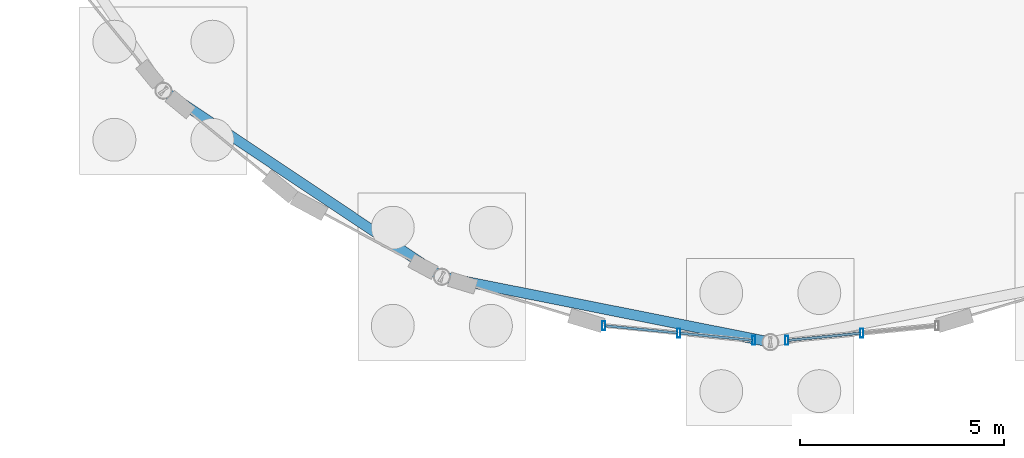
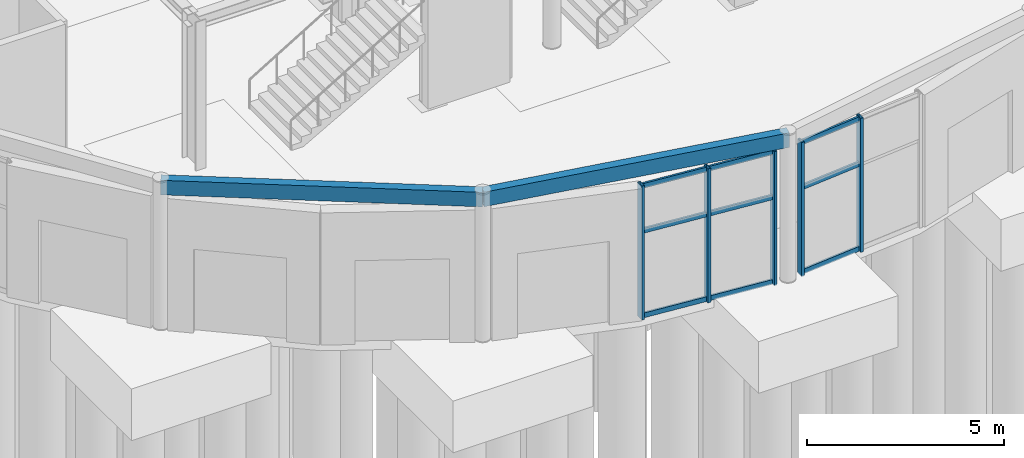
# One storey, part 66 of 160: 14 members, 2 beams, 2 elements without a shape of their own.
"""IFC4 building model written with IfcOpenShell, lengths in metres."""

import ifcopenshell
import ifcopenshell.guid

model = None  # the IFC model being written
_history = None  # IfcOwnerHistory: only IFC2X3 demands one
_inside = {}  # id of a spatial element -> (the spatial element, [elements in it])
_under = {}  # id of a project, library or spatial element -> (it, [spatial elements below it])
_declared = {}  # id of a project -> (the project, [libraries it declares])
_typed = {}  # id of a type object -> (the type object, [elements of that type])
_made_of = {}  # id of a material, layer set ... -> (it, [elements and type objects made of it])


def new_model(schema):
    """Start an empty IFC model of exactly this schema.

    Asked for "IFC4X3", IfcOpenShell would pick the latest addendum, in which some entities
    have other attributes; the version numbers below select the first issue.
    IFC2X3 requires an IfcOwnerHistory on every rooted entity: one is made here for all.
    """
    global model, _history
    if schema == "IFC4X3":
        model = ifcopenshell.file(schema_version=(4, 3, 0, 0))
    else:
        model = ifcopenshell.file(schema=schema)
    _inside.clear()
    _under.clear()
    _declared.clear()
    _typed.clear()
    _made_of.clear()
    _history = None
    if model.schema == "IFC2X3":
        org = make("IfcOrganization", Name="unknown")
        user = make(
            "IfcPersonAndOrganization",
            ThePerson=make("IfcPerson", FamilyName="unknown"),
            TheOrganization=org,
        )
        app = make(
            "IfcApplication",
            ApplicationDeveloper=org,
            Version="unknown",
            ApplicationFullName="unknown",
            ApplicationIdentifier="unknown",
        )
        _history = make(
            "IfcOwnerHistory",
            OwningUser=user,
            OwningApplication=app,
            ChangeAction="ADDED",
            CreationDate=0,
        )
    return model


def make(cls, **values):
    """One entity of the class cls with the attributes given. An attribute that is None is left unset."""
    return model.create_entity(
        cls, **{name: value for name, value in values.items() if value is not None}
    )


def rooted(cls, **values):
    """An entity with a GlobalId (a new one), such as an element, a storey or a relation."""
    return make(cls, GlobalId=ifcopenshell.guid.new(), OwnerHistory=_history, **values)


def si_unit(unit_type, name, prefix=None):
    """IfcSIUnit, for example si_unit("LENGTHUNIT", "METRE", prefix="MILLI")."""
    return make("IfcSIUnit", UnitType=unit_type, Prefix=prefix, Name=name)


def assignment(units):
    """IfcUnitAssignment: the units of a project."""
    return None if units is None else make("IfcUnitAssignment", Units=units)


def point(xyz):
    """IfcCartesianPoint."""
    return None if xyz is None else make("IfcCartesianPoint", Coordinates=xyz)


def direction(xyz):
    """IfcDirection."""
    return None if xyz is None else make("IfcDirection", DirectionRatios=xyz)


def frame(location, z_axis=None, x_axis=None):
    """IfcAxis2Placement3D, a coordinate frame: its origin and axes. An axis left out is left unset."""
    return make(
        "IfcAxis2Placement3D",
        Location=point(location),
        Axis=direction(z_axis),
        RefDirection=direction(x_axis),
    )


def frame_2d(location, x_axis=None):
    """IfcAxis2Placement2D, a coordinate frame in the plane: its origin and x axis."""
    return make(
        "IfcAxis2Placement2D", Location=point(location), RefDirection=direction(x_axis)
    )


def origin():
    """The frame at (0, 0, 0) with its axes left unset."""
    return frame((0.0, 0.0, 0.0))


def origin_2d():
    """The frame at (0, 0) in the plane with its x axis left unset."""
    return frame_2d((0.0, 0.0))


def place(relative_to, where):
    """IfcLocalPlacement: puts the frame where relative to a parent placement (None: the world)."""
    return make(
        "IfcLocalPlacement", PlacementRelTo=relative_to, RelativePlacement=where
    )


def context(
    kind, dimensions, precision=None, world=None, true_north=None, identifier=None
):
    """IfcGeometricRepresentationContext, for example the 3D "Model" context."""
    return make(
        "IfcGeometricRepresentationContext",
        ContextIdentifier=identifier,
        ContextType=kind,
        CoordinateSpaceDimension=dimensions,
        Precision=precision,
        WorldCoordinateSystem=world,
        TrueNorth=true_north,
    )


def subcontext(parent, identifier, kind, view, scale=None):
    """IfcGeometricRepresentationSubContext, for example "Body" below "Model"."""
    return make(
        "IfcGeometricRepresentationSubContext",
        ContextIdentifier=identifier,
        ContextType=kind,
        ParentContext=parent,
        TargetScale=scale,
        TargetView=view,
    )


def project(units=None, contexts=None):
    """IfcProject with its units and contexts."""
    return rooted(
        "IfcProject",
        Name="project",
        RepresentationContexts=contexts,
        UnitsInContext=assignment(units),
    )


def spatial(cls, under=None, at=None, **own):
    """A site, building, storey or space (cls), placed at a placement, below another one or the project."""
    s = rooted(cls, ObjectPlacement=at, **own)
    if under is not None:
        _under.setdefault(under.id(), (under, []))[1].append(s)
    return s


def profile(cls, at=None, kind="AREA", **sizes):
    """A parametric profile (cls). Its sizes go by their IFC names, for example OverallWidth=200.0."""
    return make(cls, ProfileType=kind, Position=at, **sizes)


def hollow_rectangle(**sizes):
    """IfcRectangleHollowProfileDef."""
    return profile("IfcRectangleHollowProfileDef", **sizes)


def extrude(swept, where, along, depth):
    """IfcExtrudedAreaSolid: the profile swept, set in the frame where, extruded along a direction by depth."""
    return make(
        "IfcExtrudedAreaSolid",
        SweptArea=swept,
        Position=where,
        ExtrudedDirection=direction(along),
        Depth=depth,
    )


def shape(context_of_items, identifier, shape_type, items):
    """IfcShapeRepresentation: the items that make up one representation, for example the "Body"."""
    return make(
        "IfcShapeRepresentation",
        ContextOfItems=context_of_items,
        RepresentationIdentifier=identifier,
        RepresentationType=shape_type,
        Items=items,
    )


def material(Name=None, Category=None):
    """IfcMaterial."""
    return make("IfcMaterial", Name=Name, Category=Category)


def layer(
    of_material, thickness, ventilated=None, Name=None, Category=None, Priority=None
):
    """IfcMaterialLayer: one layer of a wall or slab, of a material (None: an air gap)."""
    return make(
        "IfcMaterialLayer",
        Material=of_material,
        LayerThickness=thickness,
        IsVentilated=ventilated,
        Name=Name,
        Category=Category,
        Priority=Priority,
    )


def layer_set(layers, Name=None):
    """IfcMaterialLayerSet."""
    return make("IfcMaterialLayerSet", MaterialLayers=layers, LayerSetName=Name)


def material_profile(
    of_material, cross_section, Name=None, Category=None, Priority=None
):
    """IfcMaterialProfile: a cross section and its material."""
    return make(
        "IfcMaterialProfile",
        Name=Name,
        Material=of_material,
        Profile=cross_section,
        Priority=Priority,
        Category=Category,
    )


def profile_set(profiles, Name=None, composite=None):
    """IfcMaterialProfileSet."""
    return make(
        "IfcMaterialProfileSet",
        Name=Name,
        MaterialProfiles=profiles,
        CompositeProfile=composite,
    )


def made_of(thing, what):
    """Note that an element or type object is made of a material, layer set ...; save() writes the relation."""
    if what is not None:
        _made_of.setdefault(what.id(), (what, []))[1].append(thing)
    return thing


def type_object(cls, material=None, **own):
    """A type object (cls), such as IfcWallType, which elements share."""
    return made_of(rooted(cls, **own), material)


def element(
    cls,
    number,
    at=None,
    inside=None,
    cuts=None,
    type_object=None,
    material=None,
    context=None,
    identifier="Body",
    shape_type=None,
    held_by="IfcProductDefinitionShape",
    body=None,
    shapes=None,
    **own,
):
    """One element of the class cls, such as IfcWall. Its Tag is "e" and its number.

    at: its placement. inside: the storey or other place that contains it. cuts: it is an
    opening in that element (IfcRelVoidsElement). A single representation is given by context,
    identifier, shape_type and body (its items); several are given by shapes. held_by: the class
    of the entity that holds the representations. save() writes the other relations.
    """
    e = rooted(cls, Tag="e%d" % number, ObjectPlacement=at, **own)
    if body is not None:
        shapes = [shape(context, identifier, shape_type, body)]
    if shapes is not None:
        e.Representation = make(held_by, Representations=shapes)
    if inside is not None:
        _inside.setdefault(inside.id(), (inside, []))[1].append(e)
    if cuts is not None:
        rooted(
            "IfcRelVoidsElement", RelatingBuildingElement=cuts, RelatedOpeningElement=e
        )
    if type_object is not None:
        _typed.setdefault(type_object.id(), (type_object, []))[1].append(e)
    return made_of(e, material)


def aggregate(whole, parts):
    """IfcRelAggregates: a whole, such as a stair, and the parts it consists of."""
    return rooted("IfcRelAggregates", RelatingObject=whole, RelatedObjects=parts)


def save(model, path):
    """Write the relations noted so far, then the file.

    IfcRelAggregates (storeys below a building ...), IfcRelContainedInSpatialStructure (elements
    in a storey), IfcRelDefinesByType, IfcRelAssociatesMaterial and IfcRelDeclares: one each for
    every whole, place, type object, material and project.
    """
    for whole, parts in _under.values():
        aggregate(whole, parts)
    for where, things in _inside.values():
        rooted(
            "IfcRelContainedInSpatialStructure",
            RelatedElements=things,
            RelatingStructure=where,
        )
    for kind, things in _typed.values():
        rooted("IfcRelDefinesByType", RelatedObjects=things, RelatingType=kind)
    for what, things in _made_of.values():
        rooted("IfcRelAssociatesMaterial", RelatedObjects=things, RelatingMaterial=what)
    for by, libraries in _declared.values():
        rooted("IfcRelDeclares", RelatingContext=by, RelatedDefinitions=libraries)
    model.write(path)


model = new_model("IFC4")

# Units and contexts
model_context = context("Model", 3, precision=1e-05, world=origin(), true_north=direction((0.0, 1.0)))
body_context = subcontext(model_context, "Body", "Model", "MODEL_VIEW")
ifc_project = project(units=[si_unit("LENGTHUNIT", "METRE"), si_unit("AREAUNIT", "SQUARE_METRE"), si_unit("VOLUMEUNIT", "CUBIC_METRE"), si_unit("PLANEANGLEUNIT", "RADIAN"), si_unit("MASSUNIT", "GRAM", prefix="KILO")], contexts=[model_context])

# Site, building, storey
site_placement = place(None, origin())
site = spatial("IfcSite", under=ifc_project, at=site_placement, CompositionType="ELEMENT")
building_placement = place(site_placement, origin())
building = spatial("IfcBuilding", under=site, at=building_placement, Name="Marlcrest Central Station", CompositionType="ELEMENT")
storey_placement = place(building_placement, origin())
storey = spatial("IfcBuildingStorey", under=building, at=storey_placement, Name="L00", CompositionType="ELEMENT", Elevation=0.0)

# Curtain wall, members
ifc_material_1 = material(Name="Anodised aluminium and hurricane laminated glass", Category="aluminium")
ifc_layer = layer(ifc_material_1, 0.219970703125, Name="CW-U1")
ifc_layer_set = layer_set([ifc_layer], Name="Anodised aluminium and hurricane laminated glass")
curtain_wall_type = type_object("IfcCurtainWallType", Name="CW-U1", PredefinedType="USERDEFINED", material=ifc_layer_set)
curtain_wall_1_placement = place(storey_placement, origin())
curtain_wall_1 = element("IfcCurtainWall", 1, at=curtain_wall_1_placement, inside=storey, type_object=curtain_wall_type, Name="cw-L00-0004", ObjectType="UNITISED_CURTAIN_WALL", PredefinedType="USERDEFINED")
ifc_material_2 = material(Name="Anodised aluminium 6063-T6", Category="aluminium")
ifc_material_profile_1 = material_profile(ifc_material_2, hollow_rectangle(XDim=0.080078125, YDim=0.219970703125, WallThickness=0.006103515625, at=origin_2d()), Name="AA-RHS 220x80x6")
ifc_profile_set_1 = profile_set([ifc_material_profile_1], Name="Anodised aluminium 6063-T6")
member_type_1 = type_object("IfcMemberType", Name="ML-01", PredefinedType="MULLION", material=ifc_profile_set_1)
member_1_placement = place(storey_placement, frame((107.597900390625, 1.53955078125, -0.030029296875), z_axis=(0.0, 0.0, 1.0), x_axis=(1.0, 0.0, 0.0)))
member_1 = element("IfcMember", 2, at=member_1_placement, type_object=member_type_1, Name="cw-L00-0004-ml-0", PredefinedType="MULLION", context=body_context, shape_type="SweptSolid", body=[
    extrude(hollow_rectangle(XDim=0.080078125, YDim=0.219970703125, WallThickness=0.006103515625, at=origin_2d()), origin(), (0.0, 0.0, 1.0), 4.159912109375),
])
member_2_placement = place(storey_placement, frame((105.7607421875, 1.720703125, -0.030029296875), z_axis=(0.0, 0.0, 1.0), x_axis=(1.0, 0.0, 0.0)))
member_2 = element("IfcMember", 3, at=member_2_placement, type_object=member_type_1, Name="cw-L00-0004-ml-1", PredefinedType="MULLION", context=body_context, shape_type="SweptSolid", body=[
    extrude(hollow_rectangle(XDim=0.080078125, YDim=0.219970703125, WallThickness=0.006103515625, at=origin_2d()), origin(), (0.0, 0.0, 1.0), 4.159912109375),
])
member_3_placement = place(storey_placement, frame((103.923583984375, 1.902099609375, -0.030029296875), z_axis=(0.0, 0.0, 1.0), x_axis=(1.0, 0.0, 0.0)))
member_3 = element("IfcMember", 4, at=member_3_placement, type_object=member_type_1, Name="cw-L00-0004-ml-2", PredefinedType="MULLION", context=body_context, shape_type="SweptSolid", body=[
    extrude(hollow_rectangle(XDim=0.080078125, YDim=0.219970703125, WallThickness=0.006103515625, at=origin_2d()), origin(), (0.0, 0.0, 1.0), 4.159912109375),
])

curtain_wall_2_placement = place(storey_placement, origin())
curtain_wall_2 = element("IfcCurtainWall", 5, at=curtain_wall_2_placement, inside=storey, type_object=curtain_wall_type, Name="cw-L00-0005", ObjectType="UNITISED_CURTAIN_WALL", PredefinedType="USERDEFINED")
member_4_placement = place(storey_placement, frame((110.2392578125, 1.720703125, -0.030029296875), z_axis=(0.0, 0.0, 1.0), x_axis=(1.0, 0.0, 0.0)))
member_4 = element("IfcMember", 6, at=member_4_placement, type_object=member_type_1, Name="cw-L00-0005-ml-1", PredefinedType="MULLION", context=body_context, shape_type="SweptSolid", body=[
    extrude(hollow_rectangle(XDim=0.080078125, YDim=0.219970703125, WallThickness=0.006103515625, at=origin_2d()), origin(), (0.0, 0.0, 1.0), 4.159912109375),
])
member_5_placement = place(storey_placement, frame((108.402099609375, 1.53955078125, -0.030029296875), z_axis=(0.0, 0.0, 1.0), x_axis=(1.0, 0.0, 0.0)))
member_5 = element("IfcMember", 7, at=member_5_placement, type_object=member_type_1, Name="cw-L00-0005-ml-2", PredefinedType="MULLION", context=body_context, shape_type="SweptSolid", body=[
    extrude(hollow_rectangle(XDim=0.080078125, YDim=0.219970703125, WallThickness=0.006103515625, at=origin_2d()), origin(), (0.0, 0.0, 1.0), 4.159912109375),
])

# Beams
ifc_material_3 = material(Name="Steel S355", Category="steel")
ifc_material_profile_2 = material_profile(ifc_material_3, hollow_rectangle(XDim=0.25, YDim=0.449951171875, WallThickness=0.01611328125, at=origin_2d()), Name="RHS 450x250x16")
ifc_profile_set_2 = profile_set([ifc_material_profile_2], Name="Steel S355")
beam_type = type_object("IfcBeamType", Name="SP-02", PredefinedType="SPANDREL", material=ifc_profile_set_2)
beam_1_placement = place(storey_placement, frame((93.15087890625, 7.65087890625, 4.3798828125), z_axis=(0.831508991937, -0.55551129271, 0.0), x_axis=(0.55551129271, 0.831508991937, 0.0)))
element("IfcBeam", 8, at=beam_1_placement, inside=storey, type_object=beam_type, Name="bm-SP-02-L00-01325", PredefinedType="SPANDREL", context=body_context, shape_type="SweptSolid", body=[
    extrude(hollow_rectangle(XDim=0.25, YDim=0.449951171875, WallThickness=0.01611328125, at=origin_2d()), origin(), (0.0, 0.0, 1.0), 8.19384765625),
])
beam_2_placement = place(storey_placement, frame((99.964111328125, 3.09912109375, 4.3798828125), z_axis=(0.980769316421, -0.19517056122, 0.0), x_axis=(0.19517056122, 0.980769316421, 0.0)))
element("IfcBeam", 9, at=beam_2_placement, inside=storey, type_object=beam_type, Name="bm-SP-02-L00-01326", PredefinedType="SPANDREL", context=body_context, shape_type="SweptSolid", body=[
    extrude(hollow_rectangle(XDim=0.25, YDim=0.449951171875, WallThickness=0.01611328125, at=origin_2d()), origin(), (0.0, 0.0, 1.0), 8.193359375),
])

# Member
ifc_material_profile_3 = material_profile(ifc_material_2, hollow_rectangle(XDim=0.06005859375, YDim=0.14990234375, WallThickness=0.00390625, at=origin_2d()), Name="AA-RHS 150x60x4")
ifc_profile_set_3 = profile_set([ifc_material_profile_3], Name="Anodised aluminium 6063-T6")
member_type_2 = type_object("IfcMemberType", Name="TR-01", PredefinedType="USERDEFINED", material=ifc_profile_set_3)
member_6_placement = place(storey_placement, frame((107.56005859375, 1.54345703125, 0.0400390625), z_axis=(-0.995179551658, 0.098069668916, 0.0), x_axis=(-0.098069668916, -0.995179551658, 0.0)))
member_6 = element("IfcMember", 10, at=member_6_placement, type_object=member_type_2, Name="cw-L00-0004-tr-0-sill", ObjectType="TRANSOM", PredefinedType="USERDEFINED", context=body_context, shape_type="SweptSolid", body=[
    extrude(hollow_rectangle(XDim=0.06005859375, YDim=0.14990234375, WallThickness=0.00390625, at=origin_2d()), origin(), (0.0, 0.0, 1.0), 1.77001953125),
])

member_7_placement = place(storey_placement, frame((107.56005859375, 1.54345703125, 2.6650390625), z_axis=(-0.995179551658, 0.098069668916, 0.0), x_axis=(-0.098069668916, -0.995179551658, 0.0)))
member_7 = element("IfcMember", 11, at=member_7_placement, type_object=member_type_2, Name="cw-L00-0004-tr-0-mid", ObjectType="TRANSOM", PredefinedType="USERDEFINED", context=body_context, shape_type="SweptSolid", body=[
    extrude(hollow_rectangle(XDim=0.06005859375, YDim=0.14990234375, WallThickness=0.00390625, at=origin_2d()), origin(), (0.0, 0.0, 1.0), 1.77001953125),
])

member_8_placement = place(storey_placement, frame((107.56005859375, 1.54345703125, 4.06005859375), z_axis=(-0.995179551658, 0.098069668916, 0.0), x_axis=(-0.098069668916, -0.995179551658, 0.0)))
member_8 = element("IfcMember", 12, at=member_8_placement, type_object=member_type_2, Name="cw-L00-0004-tr-0-head", ObjectType="TRANSOM", PredefinedType="USERDEFINED", context=body_context, shape_type="SweptSolid", body=[
    extrude(hollow_rectangle(XDim=0.06005859375, YDim=0.14990234375, WallThickness=0.00390625, at=origin_2d()), origin(), (0.0, 0.0, 1.0), 1.77001953125),
])

member_9_placement = place(storey_placement, frame((105.722900390625, 1.724609375, 0.0400390625), z_axis=(-0.995180877968, 0.098056209013, 0.0), x_axis=(-0.098056209013, -0.995180877968, 0.0)))
member_9 = element("IfcMember", 13, at=member_9_placement, type_object=member_type_2, Name="cw-L00-0004-tr-1-sill", ObjectType="TRANSOM", PredefinedType="USERDEFINED", context=body_context, shape_type="SweptSolid", body=[
    extrude(hollow_rectangle(XDim=0.06005859375, YDim=0.14990234375, WallThickness=0.00390625, at=origin_2d()), origin(), (0.0, 0.0, 1.0), 1.770263671875),
])

member_10_placement = place(storey_placement, frame((105.722900390625, 1.724609375, 2.6650390625), z_axis=(-0.995180877968, 0.098056209013, 0.0), x_axis=(-0.098056209013, -0.995180877968, 0.0)))
member_10 = element("IfcMember", 14, at=member_10_placement, type_object=member_type_2, Name="cw-L00-0004-tr-1-mid", ObjectType="TRANSOM", PredefinedType="USERDEFINED", context=body_context, shape_type="SweptSolid", body=[
    extrude(hollow_rectangle(XDim=0.06005859375, YDim=0.14990234375, WallThickness=0.00390625, at=origin_2d()), origin(), (0.0, 0.0, 1.0), 1.770263671875),
])

member_11_placement = place(storey_placement, frame((105.722900390625, 1.724609375, 4.06005859375), z_axis=(-0.995180877968, 0.098056209013, 0.0), x_axis=(-0.098056209013, -0.995180877968, 0.0)))
member_11 = element("IfcMember", 15, at=member_11_placement, type_object=member_type_2, Name="cw-L00-0004-tr-1-head", ObjectType="TRANSOM", PredefinedType="USERDEFINED", context=body_context, shape_type="SweptSolid", body=[
    extrude(hollow_rectangle(XDim=0.06005859375, YDim=0.14990234375, WallThickness=0.00390625, at=origin_2d()), origin(), (0.0, 0.0, 1.0), 1.770263671875),
])

aggregate(curtain_wall_1, [member_1, member_2, member_3, member_6, member_7, member_8, member_9, member_10, member_11])

member_12_placement = place(storey_placement, frame((110.201416015625, 1.717041015625, 0.0400390625), z_axis=(-0.995179551658, -0.098069668916, 0.0), x_axis=(0.098069668916, -0.995179551658, 0.0)))
member_12 = element("IfcMember", 16, at=member_12_placement, type_object=member_type_2, Name="cw-L00-0005-tr-1-sill", ObjectType="TRANSOM", PredefinedType="USERDEFINED", context=body_context, shape_type="SweptSolid", body=[
    extrude(hollow_rectangle(XDim=0.06005859375, YDim=0.14990234375, WallThickness=0.00390625, at=origin_2d()), origin(), (0.0, 0.0, 1.0), 1.77001953125),
])

member_13_placement = place(storey_placement, frame((110.201416015625, 1.717041015625, 2.6650390625), z_axis=(-0.995179551658, -0.098069668916, 0.0), x_axis=(0.098069668916, -0.995179551658, 0.0)))
member_13 = element("IfcMember", 17, at=member_13_placement, type_object=member_type_2, Name="cw-L00-0005-tr-1-mid", ObjectType="TRANSOM", PredefinedType="USERDEFINED", context=body_context, shape_type="SweptSolid", body=[
    extrude(hollow_rectangle(XDim=0.06005859375, YDim=0.14990234375, WallThickness=0.00390625, at=origin_2d()), origin(), (0.0, 0.0, 1.0), 1.77001953125),
])

member_14_placement = place(storey_placement, frame((110.201416015625, 1.717041015625, 4.06005859375), z_axis=(-0.995179551658, -0.098069668916, 0.0), x_axis=(0.098069668916, -0.995179551658, 0.0)))
member_14 = element("IfcMember", 18, at=member_14_placement, type_object=member_type_2, Name="cw-L00-0005-tr-1-head", ObjectType="TRANSOM", PredefinedType="USERDEFINED", context=body_context, shape_type="SweptSolid", body=[
    extrude(hollow_rectangle(XDim=0.06005859375, YDim=0.14990234375, WallThickness=0.00390625, at=origin_2d()), origin(), (0.0, 0.0, 1.0), 1.77001953125),
])

aggregate(curtain_wall_2, [member_4, member_5, member_12, member_13, member_14])

save(model, "model.ifc")
